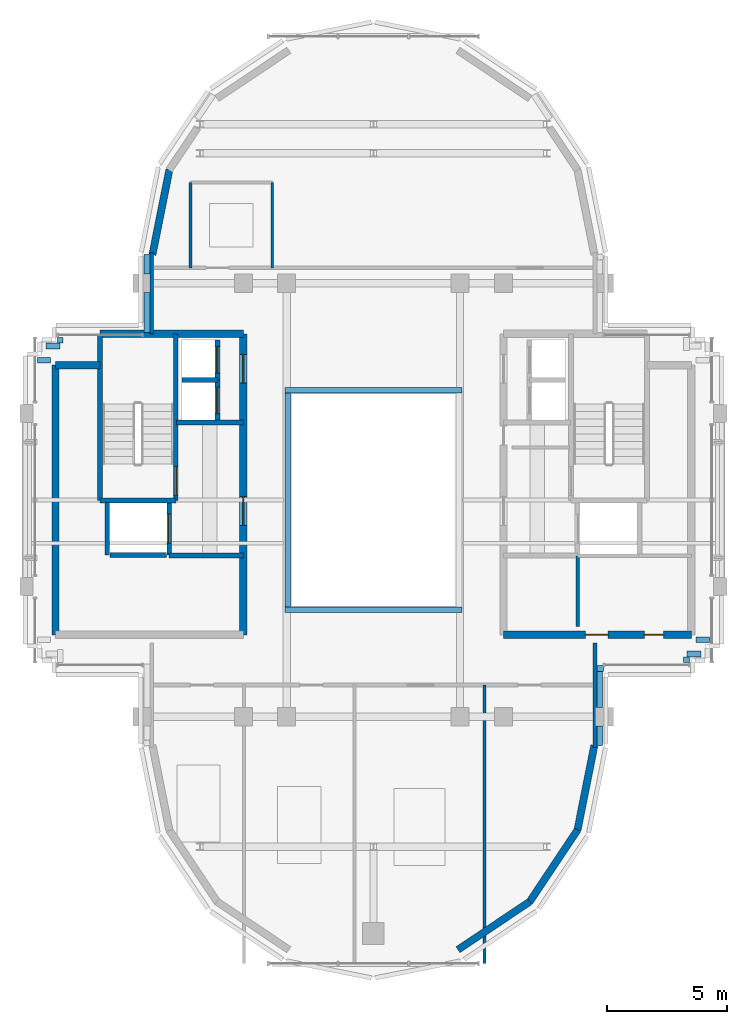
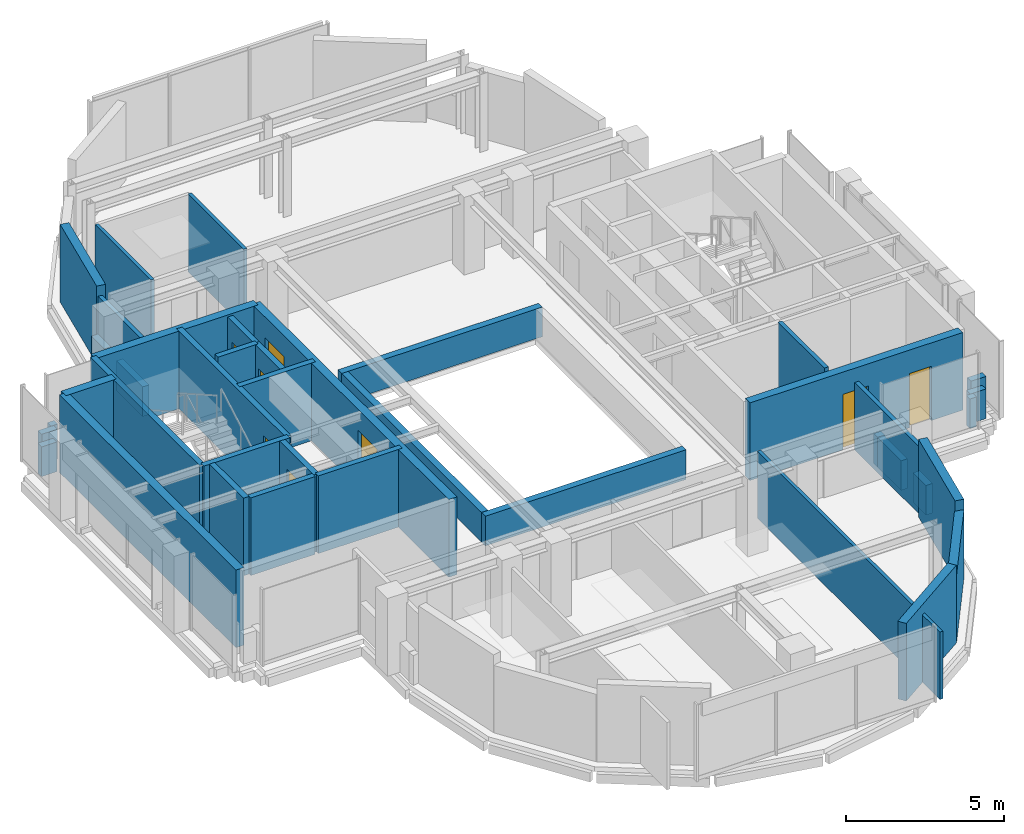
# One storey, part 7 of 11: 40 walls, 8 doors, 8 openings.
"""IFC4 building model written with IfcOpenShell, lengths in metres."""

from ifc_helpers import new_model, si_unit, direction, frame, frame_2d, origin, place, context, subcontext, project, spatial, rectangle, extrude, source, transform, mapped, material, layer, layer_set, type_object, element, fill, save


model = new_model("IFC4")

# Units and contexts
model_context = context("Model", 3, precision=1e-05, world=origin(), true_north=direction((0.0, 1.0)))
body_context = subcontext(model_context, "Body", "Model", "MODEL_VIEW")
ifc_project = project(units=[si_unit("LENGTHUNIT", "METRE"), si_unit("AREAUNIT", "SQUARE_METRE"), si_unit("VOLUMEUNIT", "CUBIC_METRE"), si_unit("PLANEANGLEUNIT", "RADIAN"), si_unit("MASSUNIT", "GRAM", prefix="KILO")], contexts=[model_context])

# Site, building, storey
site_placement = place(None, origin())
site = spatial("IfcSite", under=ifc_project, at=site_placement, CompositionType="ELEMENT")
building_placement = place(site_placement, origin())
building = spatial("IfcBuilding", under=site, at=building_placement, Name="Keilestroom Media Tower", CompositionType="ELEMENT")
storey_placement = place(building_placement, frame((0.0, 0.0, 265.199951171875)))
storey = spatial("IfcBuildingStorey", under=building, at=storey_placement, Name="L74", CompositionType="ELEMENT", Elevation=265.199951171875)

# Walls
ifc_material_1 = material(Name="Precast concrete C40/50", Category="concrete")
ifc_layer_1 = layer(ifc_material_1, 0.300048828125)
ifc_layer_set_1 = layer_set([ifc_layer_1], Name="Precast concrete C40/50")
wall_type_1 = type_object("IfcWallType", Name="Exterior-Masonry-Spandrel-Wall-300", PredefinedType="SOLIDWALL", material=ifc_layer_set_1)
wall_1_placement = place(storey_placement, frame((-8.470703125, 13.724609375, 0.0), z_axis=(0.0, 0.0, 1.0), x_axis=(-0.195114232679, -0.980780523974, 0.0)))
element("IfcWall", 1, at=wall_1_placement, inside=storey, type_object=wall_type_1, Name="L74 Lobe Facet Precast Frame Wall 06", PredefinedType="SOLIDWALL", context=body_context, shape_type="SweptSolid", body=[
    extrude(rectangle(XDim=3.608642578125, YDim=0.300048828125, at=frame_2d((1.80419921875, 0.0))), origin(), (0.0, 0.0, 1.0), 3.010009765625),
])
wall_2_placement = place(storey_placement, frame((3.510009765625, -18.673583984375, 0.0), z_axis=(0.0, 0.0, 1.0), x_axis=(0.831443568068, 0.555609208993, 0.0)))
element("IfcWall", 2, at=wall_2_placement, inside=storey, type_object=wall_type_1, Name="L74 Lobe Facet Precast Frame Wall 10", PredefinedType="SOLIDWALL", context=body_context, shape_type="SweptSolid", body=[
    extrude(rectangle(XDim=3.593505859375, YDim=0.300048828125, at=frame_2d((1.796875, 0.0))), origin(), (0.0, 0.0, 1.0), 3.010009765625),
])
wall_3_placement = place(storey_placement, frame((6.47705078125, -16.697998046875, 0.0), z_axis=(0.0, 0.0, 1.0), x_axis=(0.555574187116, 0.831466970246, 0.0)))
element("IfcWall", 3, at=wall_3_placement, inside=storey, type_object=wall_type_1, Name="L74 Lobe Facet Precast Frame Wall 11", PredefinedType="SOLIDWALL", context=body_context, shape_type="SweptSolid", body=[
    extrude(rectangle(XDim=3.608642578125, YDim=0.300048828125, at=frame_2d((1.80419921875, 0.0))), origin(), (0.0, 0.0, 1.0), 2.610107421875),
])
wall_4_placement = place(storey_placement, frame((8.470703125, -13.724609375, 0.0), z_axis=(0.0, 0.0, 1.0), x_axis=(0.195114232679, 0.980780523974, 0.0)))
element("IfcWall", 4, at=wall_4_placement, inside=storey, type_object=wall_type_1, Name="L74 Lobe Facet Precast Frame Wall 12", PredefinedType="SOLIDWALL", context=body_context, shape_type="SweptSolid", body=[
    extrude(rectangle(XDim=3.608642578125, YDim=0.300048828125, at=frame_2d((1.80419921875, 0.0))), origin(), (0.0, 0.0, 1.0), 3.010009765625),
])
ifc_material_2 = material(Name="Gypsum Plasterboard & Steel Stud", Category="steel")
ifc_layer_2 = layer(ifc_material_2, 0.1201171875)
ifc_layer_set_2 = layer_set([ifc_layer_2], Name="Gypsum Plasterboard & Steel Stud")
wall_type_2 = type_object("IfcWallType", Name="Interior-Partition-Wall-120", PredefinedType="PARTITIONING", material=ifc_layer_set_2)
for number, where, z_axis, x_axis, name in (
    (5, (-7.60009765625, 9.639892578125, 0.0), (0.0, 0.0, 1.0), (0.0, 1.0, 0.0), "L74 Interior Wall WP-L74-NL-WC-W"),
    (6, (-4.199951171875, 9.639892578125, 0.0), (0.0, 0.0, 1.0), (0.0, 1.0, 0.0), "L74 Interior Wall WP-L74-NL-WC-E"),
):
    element("IfcWall", number, at=place(storey_placement, frame(where, z_axis=z_axis, x_axis=x_axis)), inside=storey, type_object=wall_type_2, Name=name, PredefinedType="PARTITIONING", context=body_context, shape_type="SweptSolid", body=[
        extrude(rectangle(XDim=3.550048828125, YDim=0.1201171875, at=frame_2d((1.77490234375, 0.0))), origin(), (0.0, 0.0, 1.0), 3.010009765625),
    ])
wall_5_placement = place(storey_placement, frame((4.6201171875, -19.25, 0.0), z_axis=(0.0, 0.0, 1.0), x_axis=(0.0, 1.0, 0.0)))
element("IfcWall", 7, at=wall_5_placement, inside=storey, type_object=wall_type_2, Name="L74 Interior Wall WP-L74-SL-QV3", PredefinedType="PARTITIONING", context=body_context, shape_type="SweptSolid", body=[
    extrude(rectangle(XDim=11.570068359375, YDim=0.1201171875, at=frame_2d((5.78515625, 0.0))), origin(), (0.0, 0.0, 1.0), 2.610107421875),
])
ifc_layer_3 = layer(ifc_material_2, 0.14990234375)
ifc_layer_set_3 = layer_set([ifc_layer_3], Name="Gypsum Plasterboard & Steel Stud")
wall_type_3 = type_object("IfcWallType", Name="Interior-Partition-Wall-150", PredefinedType="PARTITIONING", material=ifc_layer_set_3)
wall_6_placement = place(storey_placement, frame((8.47998046875, -5.260009765625, 0.0), z_axis=(0.0, 0.0, 1.0), x_axis=(0.0, 1.0, 0.0)))
element("IfcWall", 8, at=wall_6_placement, inside=storey, type_object=wall_type_3, Name="L74 Interior Wall WP-L74-RECME-W", PredefinedType="PARTITIONING", context=body_context, shape_type="SweptSolid", body=[
    extrude(rectangle(XDim=2.93994140625, YDim=0.14990234375, at=frame_2d((1.469970703125, 0.0))), origin(), (0.0, 0.0, 1.0), 3.010009765625),
])
wall_7_placement = place(storey_placement, frame((-9.199951171875, 6.89990234375, 0.0), z_axis=(0.0, 0.0, 1.0), x_axis=(0.0, 1.0, 0.0)))
element("IfcWall", 9, at=wall_7_placement, inside=storey, type_object=wall_type_3, Name="L74 Interior Wall WP-L74-NL-CHKW", PredefinedType="PARTITIONING", context=body_context, shape_type="SweptSolid", body=[
    extrude(rectangle(XDim=3.380126953125, YDim=0.14990234375, at=frame_2d((1.68994140625, 0.0))), origin(), (0.0, 0.0, 1.0), 2.610107421875),
])
wall_8_placement = place(storey_placement, frame((9.199951171875, -10.280029296875, 0.0), z_axis=(0.0, 0.0, 1.0), x_axis=(0.0, 1.0, 0.0)))
element("IfcWall", 10, at=wall_8_placement, inside=storey, type_object=wall_type_3, Name="L74 Interior Wall WP-L74-SL-CHKE", PredefinedType="PARTITIONING", context=body_context, shape_type="SweptSolid", body=[
    extrude(rectangle(XDim=4.340087890625, YDim=0.14990234375, at=frame_2d((2.169921875, 0.0))), origin(), (0.0, 0.0, 1.0), 2.610107421875),
])
ifc_material_3 = material(Name="Concrete C50/60", Category="concrete")
ifc_layer_4 = layer(ifc_material_3, 0.300048828125)
ifc_layer_set_4 = layer_set([ifc_layer_4], Name="Concrete C50/60")
wall_type_4 = type_object("IfcWallType", Name="Reinforced-Concrete-Core-Shear-Wall-300", PredefinedType="SHEAR", material=ifc_layer_set_4)
wall_9_placement = place(storey_placement, frame((-13.199951171875, -5.60009765625, 0.0), z_axis=(0.0, 0.0, 1.0), x_axis=(0.0, 1.0, 0.0)))
element("IfcWall", 11, at=wall_9_placement, inside=storey, type_object=wall_type_4, Name="L74 Core Shear Wall WL-L74-CORE-W-OUT", PredefinedType="SHEAR", context=body_context, shape_type="SweptSolid", body=[
    extrude(rectangle(XDim=11.2001953125, YDim=0.300048828125, at=frame_2d((5.60009765625, 0.0))), origin(), (0.0, 0.0, 1.0), 3.010009765625),
])

# Wall, openings, doors
wall_10_placement = place(storey_placement, frame((-5.39990234375, -5.60009765625, 0.0), z_axis=(0.0, 0.0, 1.0), x_axis=(0.0, 1.0, 0.0)))
wall_10 = element("IfcWall", 12, at=wall_10_placement, inside=storey, type_object=wall_type_4, Name="L74 Core Shear Wall WL-L74-CORE-W-IN", PredefinedType="SHEAR", context=body_context, shape_type="SweptSolid", body=[
    extrude(rectangle(XDim=12.5, YDim=0.300048828125, at=frame_2d((6.25, 0.0))), origin(), (0.0, 0.0, 1.0), 3.010009765625),
])
opening_1_placement = place(wall_10_placement, frame((4.550048828125, 0.0, 0.0)))
opening_1 = element("IfcOpeningElement", 13, at=opening_1_placement, cuts=wall_10, Name="Opening DI-02", PredefinedType="OPENING", context=body_context, shape_type="SweptSolid", body=[
    extrude(rectangle(XDim=1.199951171875, YDim=2.199951171875, at=frame_2d((0.60009765625, 1.10009765625))), frame((0.0, 0.16015625, 0.0), z_axis=(0.0, -1.0, 0.0), x_axis=(1.0, 0.0, 0.0)), (0.0, 0.0, 1.0), 0.320068359375),
])
opening_2_placement = place(wall_10_placement, frame((10.449951171875, 0.0, 0.0)))
opening_2 = element("IfcOpeningElement", 14, at=opening_2_placement, cuts=wall_10, Name="Opening DI-02", PredefinedType="OPENING", context=body_context, shape_type="SweptSolid", body=[
    extrude(rectangle(XDim=1.199951171875, YDim=2.199951171875, at=frame_2d((0.60009765625, 1.10009765625))), frame((0.0, 0.16015625, 0.0), z_axis=(0.0, -1.0, 0.0), x_axis=(1.0, 0.0, 0.0)), (0.0, 0.0, 1.0), 0.320068359375),
])
ifc_material_4 = material(Name="Powder-Coated Steel Fire Leaf", Category="steel")
door_type_1 = type_object("IfcDoorType", Name="Interior-Compartment-Fire-Door-DI-02", OperationType="NOTDEFINED", PredefinedType="DOOR", material=ifc_material_4)
shared_shape_1 = source(origin(), body_context, "Body", "SweptSolid", [
    extrude(rectangle(XDim=1.199951171875, YDim=2.199951171875, at=frame_2d((0.60009765625, 1.10009765625))), frame((0.0, 0.02490234375, 0.0), z_axis=(0.0, -1.0, 0.0), x_axis=(1.0, 0.0, 0.0)), (0.0, 0.0, 1.0), 0.050048828125),
])
door_1_placement = place(opening_1_placement, origin())
door_1 = element("IfcDoor", 15, at=door_1_placement, inside=storey, type_object=door_type_1, Name="L74 W Firefighting Lobby Door", OperationType="SINGLE_SWING_RIGHT", OverallHeight=2.199951171875, OverallWidth=1.199951171875, PredefinedType="DOOR", context=body_context, shape_type="MappedRepresentation", body=[
    mapped(shared_shape_1, transform((0.0, 0.0, 0.0), x_axis=(1.0, 0.0, 0.0), y_axis=(0.0, 1.0, 0.0), z_axis=(0.0, 0.0, 1.0), scale=1.0)),
])
fill(opening_1, door_1)
door_2_placement = place(opening_2_placement, origin())
door_2 = element("IfcDoor", 16, at=door_2_placement, inside=storey, type_object=door_type_1, Name="L74 W High-Rise Lift Lobby Door", OperationType="SINGLE_SWING_LEFT", OverallHeight=2.199951171875, OverallWidth=1.199951171875, PredefinedType="DOOR", context=body_context, shape_type="MappedRepresentation", body=[
    mapped(shared_shape_1, transform((0.0, 0.0, 0.0), x_axis=(1.0, 0.0, 0.0), y_axis=(0.0, 1.0, 0.0), z_axis=(0.0, 0.0, 1.0), scale=1.0)),
])
fill(opening_2, door_2)

# Walls
wall_11_placement = place(storey_placement, frame((-11.35595703125, 6.89990234375, 0.0), z_axis=(0.0, 0.0, 1.0), x_axis=(1.0, 0.0, 0.0)))
element("IfcWall", 17, at=wall_11_placement, inside=storey, type_object=wall_type_4, Name="L74 Core Shear Wall WL-L74-CORE-W-N", PredefinedType="SHEAR", context=body_context, shape_type="SweptSolid", body=[
    extrude(rectangle(XDim=5.9560546875, YDim=0.300048828125, at=frame_2d((2.97802734375, 0.0))), origin(), (0.0, 0.0, 1.0), 3.010009765625),
])
wall_12_placement = place(storey_placement, frame((-13.199951171875, 5.60009765625, 0.0), z_axis=(0.0, 0.0, 1.0), x_axis=(1.0, 0.0, 0.0)))
element("IfcWall", 18, at=wall_12_placement, inside=storey, type_object=wall_type_4, Name="L74 Core Shear Wall WL-L74-CNW-N", PredefinedType="SHEAR", context=body_context, shape_type="SweptSolid", body=[
    extrude(rectangle(XDim=1.843994140625, YDim=0.300048828125, at=frame_2d((0.921875, 0.0))), origin(), (0.0, 0.0, 1.0), 3.010009765625),
])

# Wall, openings, doors
wall_13_placement = place(storey_placement, frame((5.39990234375, -5.60009765625, 0.0), z_axis=(0.0, 0.0, 1.0), x_axis=(1.0, 0.0, 0.0)))
wall_13 = element("IfcWall", 19, at=wall_13_placement, inside=storey, type_object=wall_type_4, Name="L74 Core Shear Wall WL-L74-CORE-E-S", PredefinedType="SHEAR", context=body_context, shape_type="SweptSolid", body=[
    extrude(rectangle(XDim=7.800048828125, YDim=0.300048828125, at=frame_2d((3.89990234375, 0.0))), origin(), (0.0, 0.0, 1.0), 3.010009765625),
])
opening_3_placement = place(wall_13_placement, frame((5.85009765625, 0.0, 0.0)))
opening_3 = element("IfcOpeningElement", 20, at=opening_3_placement, cuts=wall_13, Name="Opening DI-06", PredefinedType="OPENING", context=body_context, shape_type="SweptSolid", body=[
    extrude(rectangle(XDim=0.800048828125, YDim=2.10009765625, at=frame_2d((0.39990234375, 1.050048828125))), frame((0.0, 0.16015625, 0.0), z_axis=(0.0, -1.0, 0.0), x_axis=(1.0, 0.0, 0.0)), (0.0, 0.0, 1.0), 0.320068359375),
])
opening_4_placement = place(wall_13_placement, frame((3.39990234375, 0.0, 0.0)))
opening_4 = element("IfcOpeningElement", 21, at=opening_4_placement, cuts=wall_13, Name="Opening DI-03", PredefinedType="OPENING", context=body_context, shape_type="SweptSolid", body=[
    extrude(rectangle(XDim=0.949951171875, YDim=2.14990234375, at=frame_2d((0.47509765625, 1.074951171875))), frame((0.0, 0.16015625, 0.0), z_axis=(0.0, -1.0, 0.0), x_axis=(1.0, 0.0, 0.0)), (0.0, 0.0, 1.0), 0.320068359375),
])
ifc_material_5 = material(Name="Powder-Coated Steel Service Leaf", Category="steel")
door_type_2 = type_object("IfcDoorType", Name="Interior-Riser-Access-Door-DI-06", OperationType="NOTDEFINED", PredefinedType="DOOR", material=ifc_material_5)
shared_shape_2 = source(origin(), body_context, "Body", "SweptSolid", [
    extrude(rectangle(XDim=0.800048828125, YDim=2.10009765625, at=frame_2d((0.39990234375, 1.050048828125))), frame((0.0, 0.02490234375, 0.0), z_axis=(0.0, -1.0, 0.0), x_axis=(1.0, 0.0, 0.0)), (0.0, 0.0, 1.0), 0.050048828125),
])
door_3_placement = place(opening_3_placement, origin())
door_3 = element("IfcDoor", 22, at=door_3_placement, inside=storey, type_object=door_type_2, Name="L74 Reclaimed East Core Room Door", OperationType="SINGLE_SWING_RIGHT", OverallHeight=2.10009765625, OverallWidth=0.800048828125, PredefinedType="DOOR", context=body_context, shape_type="MappedRepresentation", body=[
    mapped(shared_shape_2, transform((0.0, 0.0, 0.0), x_axis=(1.0, 0.0, 0.0), y_axis=(0.0, 1.0, 0.0), z_axis=(0.0, 0.0, 1.0), scale=1.0)),
])
fill(opening_3, door_3)
ifc_material_6 = material(Name="Lacquered European Oak Leaf", Category="wood")
door_type_3 = type_object("IfcDoorType", Name="Interior-Room-And-Suite-Door-DI-03", OperationType="NOTDEFINED", PredefinedType="DOOR", material=ifc_material_6)
shared_shape_3 = source(origin(), body_context, "Body", "SweptSolid", [
    extrude(rectangle(XDim=0.949951171875, YDim=2.14990234375, at=frame_2d((0.47509765625, 1.074951171875))), frame((0.0, 0.02490234375, 0.0), z_axis=(0.0, -1.0, 0.0), x_axis=(1.0, 0.0, 0.0)), (0.0, 0.0, 1.0), 0.050048828125),
])
door_4_placement = place(opening_4_placement, origin())
door_4 = element("IfcDoor", 23, at=door_4_placement, inside=storey, type_object=door_type_3, Name="L74 Reclaimed Mid East Room Door", OperationType="SINGLE_SWING_RIGHT", OverallHeight=2.14990234375, OverallWidth=0.949951171875, PredefinedType="DOOR", context=body_context, shape_type="MappedRepresentation", body=[
    mapped(shared_shape_3, transform((0.0, 0.0, 0.0), x_axis=(1.0, 0.0, 0.0), y_axis=(0.0, 1.0, 0.0), z_axis=(0.0, 0.0, 1.0), scale=1.0)),
])
fill(opening_4, door_4)

# Walls
ifc_layer_5 = layer(ifc_material_3, 0.199951171875)
ifc_layer_set_5 = layer_set([ifc_layer_5], Name="Concrete C50/60")
wall_type_5 = type_object("IfcWallType", Name="Reinforced-Concrete-Shaft-Wall-200", PredefinedType="SOLIDWALL", material=ifc_layer_set_5)
wall_14_placement = place(storey_placement, frame((-8.179931640625, 3.219970703125, 0.0), z_axis=(0.0, 0.0, 1.0), x_axis=(1.0, 0.0, 0.0)))
element("IfcWall", 24, at=wall_14_placement, inside=storey, type_object=wall_type_5, Name="L74 Core Shear Wall WL-L74-CORE-W-FFN", PredefinedType="SOLIDWALL", context=body_context, shape_type="SweptSolid", body=[
    extrude(rectangle(XDim=2.780029296875, YDim=0.199951171875, at=frame_2d((1.39013671875, 0.0))), origin(), (0.0, 0.0, 1.0), 3.010009765625),
])
wall_15_placement = place(storey_placement, frame((-8.47998046875, -2.300048828125, 0.0), z_axis=(0.0, 0.0, 1.0), x_axis=(1.0, 0.0, 0.0)))
element("IfcWall", 25, at=wall_15_placement, inside=storey, type_object=wall_type_5, Name="L74 Core Shear Wall WL-L74-CORE-W-FFS", PredefinedType="SOLIDWALL", context=body_context, shape_type="SweptSolid", body=[
    extrude(rectangle(XDim=3.080078125, YDim=0.199951171875, at=frame_2d((1.5400390625, 0.0))), origin(), (0.0, 0.0, 1.0), 3.010009765625),
])

# Wall, opening, door
wall_16_placement = place(storey_placement, frame((-8.2041015625, -0.01611328125, 0.0), z_axis=(0.0, 0.0, 1.0), x_axis=(0.0, 1.0, 0.0)))
wall_16 = element("IfcWall", 26, at=wall_16_placement, inside=storey, type_object=wall_type_5, Name="L74 Core Shear Wall WL-L74-STW-W-NEAR", PredefinedType="SOLIDWALL", context=body_context, shape_type="SweptSolid", body=[
    extrude(rectangle(XDim=6.916015625, YDim=0.199951171875, at=frame_2d((3.4580078125, 0.0))), origin(), (0.0, 0.0, 1.0), 3.010009765625),
])
opening_5_placement = place(wall_16_placement, frame((0.199951171875, 0.0, 0.0)))
opening_5 = element("IfcOpeningElement", 27, at=opening_5_placement, cuts=wall_16, Name="Opening DI-01S", PredefinedType="OPENING", context=body_context, shape_type="SweptSolid", body=[
    extrude(rectangle(XDim=1.199951171875, YDim=2.199951171875, at=frame_2d((0.60009765625, 1.10009765625))), frame((0.0, 0.10986328125, 0.0), z_axis=(0.0, -1.0, 0.0), x_axis=(1.0, 0.0, 0.0)), (0.0, 0.0, 1.0), 0.219970703125),
])
door_type_4 = type_object("IfcDoorType", Name="Interior-Stair-And-Core-Fire-Door-DI-01", OperationType="NOTDEFINED", PredefinedType="DOOR", material=ifc_material_4)
door_5_placement = place(opening_5_placement, origin())
door_5 = element("IfcDoor", 28, at=door_5_placement, inside=storey, type_object=door_type_4, Name="L74 Escape Stair ST-1 Fire Door", OperationType="SINGLE_SWING_LEFT", OverallHeight=2.199951171875, OverallWidth=1.199951171875, PredefinedType="DOOR", context=body_context, shape_type="MappedRepresentation", body=[
    mapped(shared_shape_1, transform((0.0, 0.0, 0.0), x_axis=(1.0, 0.0, 0.0), y_axis=(0.0, 1.0, 0.0), z_axis=(0.0, 0.0, 1.0), scale=1.0)),
])
fill(opening_5, door_5)

# Walls
wall_17_placement = place(storey_placement, frame((-11.35595703125, -0.01611328125, 0.0), z_axis=(0.0, 0.0, 1.0), x_axis=(0.0, 1.0, 0.0)))
element("IfcWall", 29, at=wall_17_placement, inside=storey, type_object=wall_type_5, Name="L74 Core Shear Wall WL-L74-STW-W-FAR", PredefinedType="SOLIDWALL", context=body_context, shape_type="SweptSolid", body=[
    extrude(rectangle(XDim=6.916015625, YDim=0.199951171875, at=frame_2d((3.4580078125, 0.0))), origin(), (0.0, 0.0, 1.0), 3.010009765625),
])
wall_18_placement = place(storey_placement, frame((-11.35595703125, -0.01611328125, 0.0), z_axis=(0.0, 0.0, 1.0), x_axis=(1.0, 0.0, 0.0)))
element("IfcWall", 30, at=wall_18_placement, inside=storey, type_object=wall_type_5, Name="L74 Core Shear Wall WL-L74-STW-W-S", PredefinedType="SOLIDWALL", context=body_context, shape_type="SweptSolid", body=[
    extrude(rectangle(XDim=3.15185546875, YDim=0.199951171875, at=frame_2d((1.575927734375, 0.0))), origin(), (0.0, 0.0, 1.0), 3.010009765625),
])
wall_19_placement = place(storey_placement, frame((-11.050048828125, -2.280029296875, 0.0), z_axis=(0.0, 0.0, 1.0), x_axis=(0.0, 1.0, 0.0)))
element("IfcWall", 31, at=wall_19_placement, inside=storey, type_object=wall_type_5, Name="L74 Core Shear Wall WL-L74-LSH-FFL-1-W", PredefinedType="SOLIDWALL", context=body_context, shape_type="SweptSolid", body=[
    extrude(rectangle(XDim=2.179931640625, YDim=0.199951171875, at=frame_2d((1.08984375, 0.0))), origin(), (0.0, 0.0, 1.0), 3.010009765625),
])

# Wall, opening, door
wall_20_placement = place(storey_placement, frame((-8.47998046875, -2.280029296875, 0.0), z_axis=(0.0, 0.0, 1.0), x_axis=(0.0, 1.0, 0.0)))
wall_20 = element("IfcWall", 32, at=wall_20_placement, inside=storey, type_object=wall_type_5, Name="L74 Core Shear Wall WL-L74-LSH-FFL-1-E", PredefinedType="SOLIDWALL", context=body_context, shape_type="SweptSolid", body=[
    extrude(rectangle(XDim=2.179931640625, YDim=0.199951171875, at=frame_2d((1.08984375, 0.0))), origin(), (0.0, 0.0, 1.0), 3.010009765625),
])
opening_6_placement = place(wall_20_placement, frame((0.489990234375, 0.0, 0.0)))
opening_6 = element("IfcOpeningElement", 33, at=opening_6_placement, cuts=wall_20, Name="Opening LD-02", PredefinedType="OPENING", context=body_context, shape_type="SweptSolid", body=[
    extrude(rectangle(XDim=1.199951171875, YDim=2.199951171875, at=frame_2d((0.60009765625, 1.10009765625))), frame((0.0, 0.10986328125, 0.0), z_axis=(0.0, -1.0, 0.0), x_axis=(1.0, 0.0, 0.0)), (0.0, 0.0, 1.0), 0.219970703125),
])
ifc_material_7 = material(Name="Brushed Stainless Steel Sliding Leaf", Category="steel")
door_type_5 = type_object("IfcDoorType", Name="Lift-Landing-Sliding-Door-LD-02", OperationType="SLIDING_TO_RIGHT", PredefinedType="DOOR", material=ifc_material_7)
door_6_placement = place(opening_6_placement, origin())
door_6 = element("IfcDoor", 34, at=door_6_placement, inside=storey, type_object=door_type_5, Name="L74 Lift FFL-1 Landing Sliding Door", OperationType="SLIDING_TO_RIGHT", OverallHeight=2.199951171875, OverallWidth=1.199951171875, PredefinedType="DOOR", context=body_context, shape_type="MappedRepresentation", body=[
    mapped(shared_shape_1, transform((0.0, 0.0, 0.0), x_axis=(1.0, 0.0, 0.0), y_axis=(0.0, 1.0, 0.0), z_axis=(0.0, 0.0, 1.0), scale=1.0)),
])
fill(opening_6, door_6)

# Wall
wall_21_placement = place(storey_placement, frame((-10.946044921875, -2.280029296875, 0.0), z_axis=(0.0, 0.0, 1.0), x_axis=(1.0, 0.0, 0.0)))
element("IfcWall", 35, at=wall_21_placement, inside=storey, type_object=wall_type_5, Name="L74 Core Shear Wall WL-L74-LSH-FFL-1-S", PredefinedType="SOLIDWALL", context=body_context, shape_type="SweptSolid", body=[
    extrude(rectangle(XDim=2.362060546875, YDim=0.199951171875, at=frame_2d((1.18115234375, 0.0))), origin(), (0.0, 0.0, 1.0), 3.010009765625),
])

# Wall, opening, door
wall_22_placement = place(storey_placement, frame((-6.47998046875, 3.300048828125, 0.0), z_axis=(0.0, 0.0, 1.0), x_axis=(0.0, 1.0, 0.0)))
wall_22 = element("IfcWall", 36, at=wall_22_placement, inside=storey, type_object=wall_type_5, Name="L74 Core Shear Wall WL-L74-LSH-PL-H1-E", PredefinedType="SOLIDWALL", context=body_context, shape_type="SweptSolid", body=[
    extrude(rectangle(XDim=1.679931640625, YDim=0.199951171875, at=frame_2d((0.83984375, 0.0))), origin(), (0.0, 0.0, 1.0), 3.010009765625),
])
opening_7_placement = place(wall_22_placement, frame((0.2900390625, 0.0, 0.0)))
opening_7 = element("IfcOpeningElement", 37, at=opening_7_placement, cuts=wall_22, Name="Opening LD-01", PredefinedType="OPENING", context=body_context, shape_type="SweptSolid", body=[
    extrude(rectangle(XDim=1.10009765625, YDim=2.199951171875, at=frame_2d((0.550048828125, 1.10009765625))), frame((0.0, 0.10986328125, 0.0), z_axis=(0.0, -1.0, 0.0), x_axis=(1.0, 0.0, 0.0)), (0.0, 0.0, 1.0), 0.219970703125),
])
door_type_6 = type_object("IfcDoorType", Name="Lift-Landing-Sliding-Door-LD-01", OperationType="SLIDING_TO_LEFT", PredefinedType="DOOR", material=ifc_material_7)
shared_shape_4 = source(origin(), body_context, "Body", "SweptSolid", [
    extrude(rectangle(XDim=1.10009765625, YDim=2.199951171875, at=frame_2d((0.550048828125, 1.10009765625))), frame((0.0, 0.02490234375, 0.0), z_axis=(0.0, -1.0, 0.0), x_axis=(1.0, 0.0, 0.0)), (0.0, 0.0, 1.0), 0.050048828125),
])
door_7_placement = place(opening_7_placement, origin())
door_7 = element("IfcDoor", 38, at=door_7_placement, inside=storey, type_object=door_type_6, Name="L74 Lift PL-H1 Landing Sliding Door", OperationType="SLIDING_TO_LEFT", OverallHeight=2.199951171875, OverallWidth=1.10009765625, PredefinedType="DOOR", context=body_context, shape_type="MappedRepresentation", body=[
    mapped(shared_shape_4, transform((0.0, 0.0, 0.0), x_axis=(1.0, 0.0, 0.0), y_axis=(0.0, 1.0, 0.0), z_axis=(0.0, 0.0, 1.0), scale=1.0)),
])
fill(opening_7, door_7)

# Wall
wall_23_placement = place(storey_placement, frame((-7.949951171875, 4.97998046875, 0.0), z_axis=(0.0, 0.0, 1.0), x_axis=(1.0, 0.0, 0.0)))
element("IfcWall", 39, at=wall_23_placement, inside=storey, type_object=wall_type_5, Name="L74 Core Shear Wall WL-L74-LSH-PL-H1-N", PredefinedType="SOLIDWALL", context=body_context, shape_type="SweptSolid", body=[
    extrude(rectangle(XDim=1.469970703125, YDim=0.199951171875, at=frame_2d((0.73486328125, 0.0))), origin(), (0.0, 0.0, 1.0), 3.010009765625),
])

# Wall, opening, door
wall_24_placement = place(storey_placement, frame((-6.47998046875, 4.97998046875, 0.0), z_axis=(0.0, 0.0, 1.0), x_axis=(0.0, 1.0, 0.0)))
wall_24 = element("IfcWall", 40, at=wall_24_placement, inside=storey, type_object=wall_type_5, Name="L74 Core Shear Wall WL-L74-LSH-PL-H2-E", PredefinedType="SOLIDWALL", context=body_context, shape_type="SweptSolid", body=[
    extrude(rectangle(XDim=1.669921875, YDim=0.199951171875, at=frame_2d((0.8349609375, 0.0))), origin(), (0.0, 0.0, 1.0), 3.010009765625),
])
opening_8_placement = place(wall_24_placement, frame((0.284912109375, 0.0, 0.0)))
opening_8 = element("IfcOpeningElement", 41, at=opening_8_placement, cuts=wall_24, Name="Opening LD-01", PredefinedType="OPENING", context=body_context, shape_type="SweptSolid", body=[
    extrude(rectangle(XDim=1.10009765625, YDim=2.199951171875, at=frame_2d((0.550048828125, 1.10009765625))), frame((0.0, 0.10986328125, 0.0), z_axis=(0.0, -1.0, 0.0), x_axis=(1.0, 0.0, 0.0)), (0.0, 0.0, 1.0), 0.219970703125),
])
door_8_placement = place(opening_8_placement, origin())
door_8 = element("IfcDoor", 42, at=door_8_placement, inside=storey, type_object=door_type_6, Name="L74 Lift PL-H2 Landing Sliding Door", OperationType="SLIDING_TO_LEFT", OverallHeight=2.199951171875, OverallWidth=1.10009765625, PredefinedType="DOOR", context=body_context, shape_type="MappedRepresentation", body=[
    mapped(shared_shape_4, transform((0.0, 0.0, 0.0), x_axis=(1.0, 0.0, 0.0), y_axis=(0.0, 1.0, 0.0), z_axis=(0.0, 0.0, 1.0), scale=1.0)),
])
fill(opening_8, door_8)

# Walls
ifc_layer_6 = layer(ifc_material_1, 0.239990234375)
ifc_layer_set_6 = layer_set([ifc_layer_6], Name="Precast concrete C40/50")
wall_type_6 = type_object("IfcWallType", Name="Roof-And-Terrace-Parapet-Wall-240", PredefinedType="PARAPET", material=ifc_layer_set_6)
wall_25_placement = place(storey_placement, frame((13.95703125, -5.800048828125, 0.0), z_axis=(0.0, 0.0, 1.0), x_axis=(-1.0, 0.0, 0.0)))
element("IfcWall", 43, at=wall_25_placement, inside=storey, type_object=wall_type_6, Name="L74 Perimeter Edge Parapet Wall 01", PredefinedType="PARAPET", context=body_context, shape_type="SweptSolid", body=[
    extrude(rectangle(XDim=0.55712890625, YDim=0.239990234375, at=frame_2d((0.278564453125, 0.0))), origin(), (0.0, 0.0, 1.0), 1.150146484375),
])
wall_26_placement = place(storey_placement, frame((13.60009765625, -6.39990234375, 0.0), z_axis=(0.0, 0.0, 1.0), x_axis=(-1.0, 0.0, 0.0)))
element("IfcWall", 44, at=wall_26_placement, inside=storey, type_object=wall_type_6, Name="L74 Perimeter Edge Parapet Wall 02", PredefinedType="PARAPET", context=body_context, shape_type="SweptSolid", body=[
    extrude(rectangle(XDim=0.576416015625, YDim=0.239990234375, at=frame_2d((0.2880859375, 0.0))), origin(), (0.0, 0.0, 1.0), 1.150146484375),
])
wall_27_placement = place(storey_placement, frame((13.0, -6.52294921875, 0.0), z_axis=(0.0, 0.0, 1.0), x_axis=(0.0, -1.0, 0.0)))
element("IfcWall", 45, at=wall_27_placement, inside=storey, type_object=wall_type_6, Name="L74 Perimeter Edge Parapet Wall 03", PredefinedType="PARAPET", context=body_context, shape_type="SweptSolid", body=[
    extrude(rectangle(XDim=0.234130859375, YDim=0.239990234375, at=frame_2d((0.1171875, 0.0))), origin(), (0.0, 0.0, 1.0), 1.150146484375),
])
wall_28_placement = place(storey_placement, frame((9.547119140625, -7.0, 0.0), z_axis=(0.0, 0.0, 1.0), x_axis=(-1.0, 0.0, 0.0)))
element("IfcWall", 46, at=wall_28_placement, inside=storey, type_object=wall_type_6, Name="L74 Perimeter Edge Parapet Wall 04", PredefinedType="PARAPET", context=body_context, shape_type="SweptSolid", body=[
    extrude(rectangle(XDim=0.26904296875, YDim=0.239990234375, at=frame_2d((0.134521484375, 0.0))), origin(), (0.0, 0.0, 1.0), 1.150146484375),
])
wall_29_placement = place(storey_placement, frame((9.39990234375, -7.123046875, 0.0), z_axis=(0.0, 0.0, 1.0), x_axis=(0.0, -1.0, 0.0)))
element("IfcWall", 47, at=wall_29_placement, inside=storey, type_object=wall_type_6, Name="L74 Perimeter Edge Parapet Wall 05", PredefinedType="PARAPET", context=body_context, shape_type="SweptSolid", body=[
    extrude(rectangle(XDim=1.4990234375, YDim=0.239990234375, at=frame_2d((0.74951171875, 0.0))), origin(), (0.0, 0.0, 1.0), 1.150146484375),
])
wall_30_placement = place(storey_placement, frame((9.39990234375, -9.3779296875, 0.0), z_axis=(0.0, 0.0, 1.0), x_axis=(0.0, -1.0, 0.0)))
element("IfcWall", 48, at=wall_30_placement, inside=storey, type_object=wall_type_6, Name="L74 Perimeter Edge Parapet Wall 06", PredefinedType="PARAPET", context=body_context, shape_type="SweptSolid", body=[
    extrude(rectangle(XDim=0.824951171875, YDim=0.239990234375, at=frame_2d((0.41259765625, 0.0))), origin(), (0.0, 0.0, 1.0), 1.150146484375),
])
wall_31_placement = place(storey_placement, frame((-13.95703125, 5.800048828125, 0.0), z_axis=(0.0, 0.0, 1.0), x_axis=(1.0, 0.0, 0.0)))
element("IfcWall", 49, at=wall_31_placement, inside=storey, type_object=wall_type_6, Name="L74 Perimeter Edge Parapet Wall 13", PredefinedType="PARAPET", context=body_context, shape_type="SweptSolid", body=[
    extrude(rectangle(XDim=0.55712890625, YDim=0.239990234375, at=frame_2d((0.278564453125, 0.0))), origin(), (0.0, 0.0, 1.0), 1.150146484375),
])
wall_32_placement = place(storey_placement, frame((-13.60009765625, 6.39990234375, 0.0), z_axis=(0.0, 0.0, 1.0), x_axis=(1.0, 0.0, 0.0)))
element("IfcWall", 50, at=wall_32_placement, inside=storey, type_object=wall_type_6, Name="L74 Perimeter Edge Parapet Wall 14", PredefinedType="PARAPET", context=body_context, shape_type="SweptSolid", body=[
    extrude(rectangle(XDim=0.576416015625, YDim=0.239990234375, at=frame_2d((0.2880859375, 0.0))), origin(), (0.0, 0.0, 1.0), 1.150146484375),
])
wall_33_placement = place(storey_placement, frame((-13.0, 6.52294921875, 0.0), z_axis=(0.0, 0.0, 1.0), x_axis=(0.0, 1.0, 0.0)))
element("IfcWall", 51, at=wall_33_placement, inside=storey, type_object=wall_type_6, Name="L74 Perimeter Edge Parapet Wall 15", PredefinedType="PARAPET", context=body_context, shape_type="SweptSolid", body=[
    extrude(rectangle(XDim=0.234130859375, YDim=0.239990234375, at=frame_2d((0.1171875, 0.0))), origin(), (0.0, 0.0, 1.0), 1.150146484375),
])
wall_34_placement = place(storey_placement, frame((-9.39990234375, 6.952880859375, 0.0), z_axis=(0.0, 0.0, 1.0), x_axis=(0.0, 1.0, 0.0)))
element("IfcWall", 52, at=wall_34_placement, inside=storey, type_object=wall_type_6, Name="L74 Perimeter Edge Parapet Wall 16", PredefinedType="PARAPET", context=body_context, shape_type="SweptSolid", body=[
    extrude(rectangle(XDim=1.669189453125, YDim=0.239990234375, at=frame_2d((0.83447265625, 0.0))), origin(), (0.0, 0.0, 1.0), 1.150146484375),
])
wall_35_placement = place(storey_placement, frame((-9.39990234375, 9.3779296875, 0.0), z_axis=(0.0, 0.0, 1.0), x_axis=(0.0, 1.0, 0.0)))
element("IfcWall", 53, at=wall_35_placement, inside=storey, type_object=wall_type_6, Name="L74 Perimeter Edge Parapet Wall 17", PredefinedType="PARAPET", context=body_context, shape_type="SweptSolid", body=[
    extrude(rectangle(XDim=0.824951171875, YDim=0.239990234375, at=frame_2d((0.41259765625, 0.0))), origin(), (0.0, 0.0, 1.0), 1.150146484375),
])
for number, where, z_axis, x_axis, name in (
    (54, (-3.679931640625, -4.56005859375, 0.0), (0.0, 0.0, 1.0), (1.0, 0.0, 0.0), "L74 Central Atrium Guard Parapet S"),
    (55, (-3.679931640625, 4.56005859375, 0.0), (0.0, 0.0, 1.0), (1.0, 0.0, 0.0), "L74 Central Atrium Guard Parapet N"),
):
    element("IfcWall", number, at=place(storey_placement, frame(where, z_axis=z_axis, x_axis=x_axis)), inside=storey, type_object=wall_type_6, Name=name, PredefinedType="PARAPET", context=body_context, shape_type="SweptSolid", body=[
        extrude(rectangle(XDim=7.35986328125, YDim=0.239990234375, at=frame_2d((3.679931640625, 0.0))), origin(), (0.0, 0.0, 1.0), 1.150146484375),
    ])
wall_36_placement = place(storey_placement, frame((-3.56005859375, -4.43505859375, 0.0), z_axis=(0.0, 0.0, 1.0), x_axis=(0.0, 1.0, 0.0)))
element("IfcWall", 56, at=wall_36_placement, inside=storey, type_object=wall_type_6, Name="L74 Central Atrium Guard Parapet W", PredefinedType="PARAPET", context=body_context, shape_type="SweptSolid", body=[
    extrude(rectangle(XDim=8.8701171875, YDim=0.239990234375, at=frame_2d((4.43505859375, 0.0))), origin(), (0.0, 0.0, 1.0), 1.150146484375),
])

save(model, "model.ifc")
